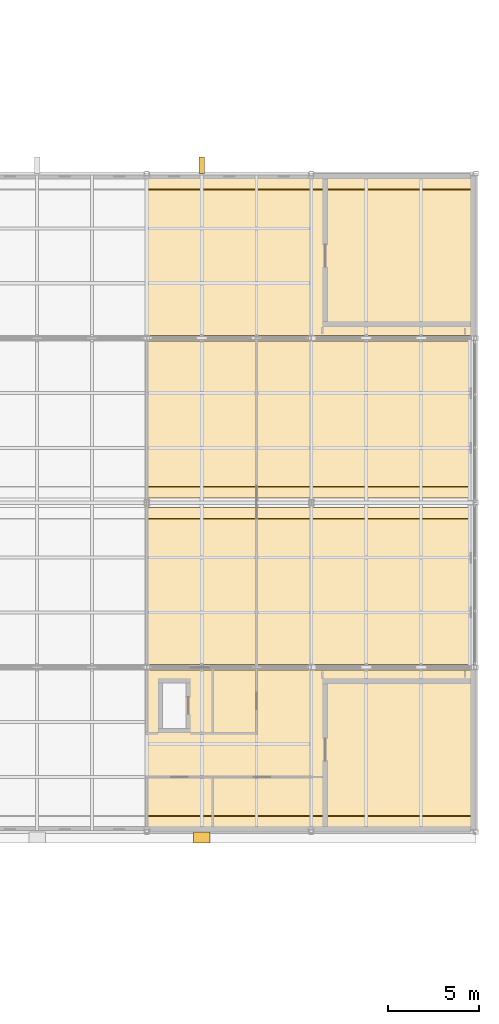
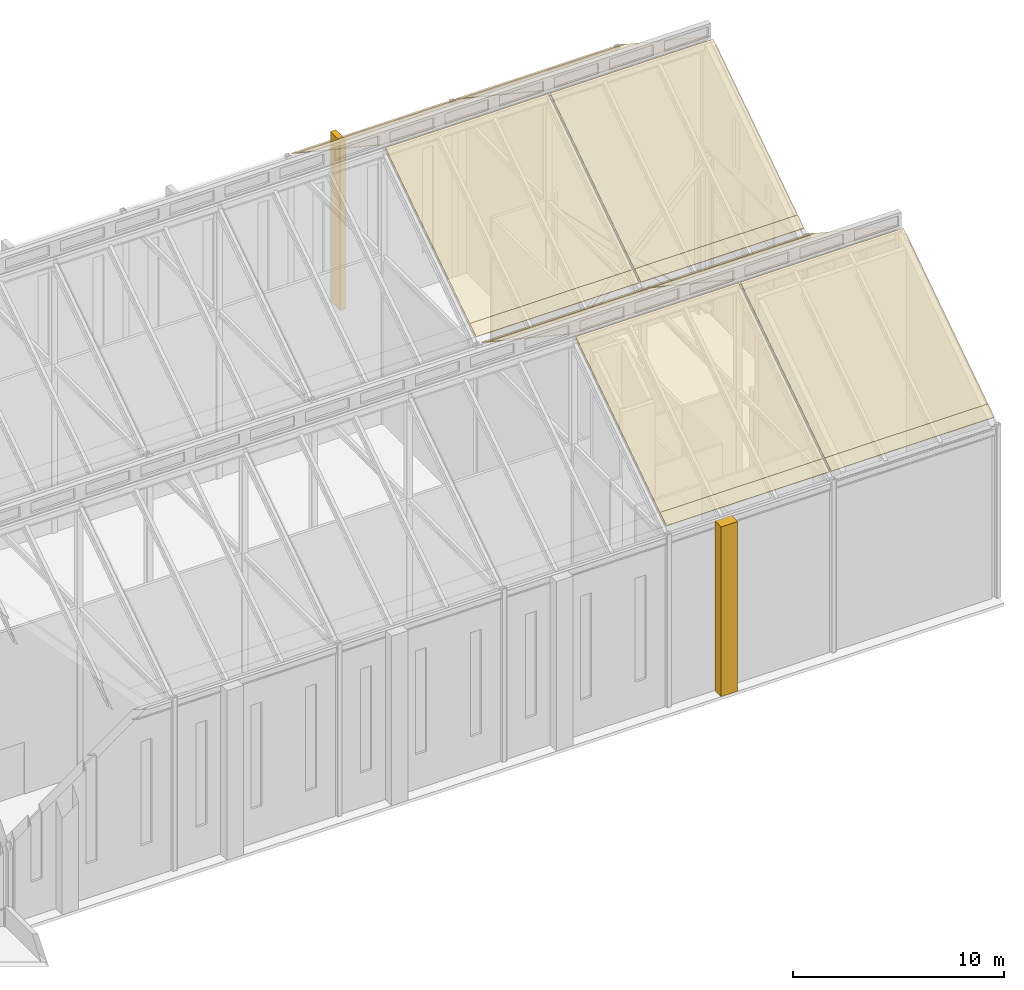
# One storey, part 111 of 111: 16 coverings, 2 shading devices.
"""IFC4 building model written with IfcOpenShell, lengths in metres."""

from ifc_helpers import new_model, si_unit, direction, frame, origin, origin_2d, place, context, subcontext, project, spatial, polyline, rectangle, outline, extrude, material, layer, layer_set, type_object, element, save


model = new_model("IFC4")

# Units and contexts
model_context = context("Model", 3, precision=1e-05, world=origin(), true_north=direction((0.0, 1.0)))
body_context = subcontext(model_context, "Body", "Model", "MODEL_VIEW")
ifc_project = project(units=[si_unit("LENGTHUNIT", "METRE"), si_unit("AREAUNIT", "SQUARE_METRE"), si_unit("VOLUMEUNIT", "CUBIC_METRE"), si_unit("PLANEANGLEUNIT", "RADIAN"), si_unit("MASSUNIT", "GRAM", prefix="KILO")], contexts=[model_context])

# Site, building, storey
site_placement = place(None, origin())
site = spatial("IfcSite", under=ifc_project, at=site_placement, CompositionType="ELEMENT")
building_placement = place(site_placement, origin())
building = spatial("IfcBuilding", under=site, at=building_placement, Name="Shorebreak Coast Museum", CompositionType="ELEMENT")
storey_placement = place(building_placement, frame((0.0, 0.0, 16.0)))
storey = spatial("IfcBuildingStorey", under=building, at=storey_placement, Name="L03", CompositionType="ELEMENT", Elevation=16.0)

# Coverings
ifc_material_1 = material(Name="Lead-coated copper")
ifc_layer_1 = layer(ifc_material_1, 0.0400390625)
ifc_layer_set_1 = layer_set([ifc_layer_1], Name="Lead-coated copper")
covering_type_1 = type_object("IfcCoveringType", Name="Lead-coated copper roofing 40", PredefinedType="ROOFING", material=ifc_layer_set_1)
for number, where, z_axis, x_axis, name in (
    (1, (153.050048828125, 54.85009765625, 10.61474609375), (0.0, -0.554694336455, 0.832054200822), (1.0, 0.0, 0.0), "Roofing FOLD-E-P05"),
    (2, (162.050048828125, 54.85009765625, 10.61474609375), (0.0, -0.554694336455, 0.832054200822), (1.0, 0.0, 0.0), "Roofing FOLD-E-P06"),
    (3, (153.050048828125, 63.14990234375, 15.947998046875), (0.0, 0.554694336455, 0.832054200822), (1.0, 0.0, 0.0), "Roofing FOLD-E-P11"),
    (4, (162.050048828125, 63.14990234375, 15.947998046875), (0.0, 0.554694336455, 0.832054200822), (1.0, 0.0, 0.0), "Roofing FOLD-E-P12"),
    (5, (153.050048828125, 72.85009765625, 10.61474609375), (0.0, -0.554694336455, 0.832054200822), (1.0, 0.0, 0.0), "Roofing FOLD-E-P17"),
    (6, (162.050048828125, 72.85009765625, 10.61474609375), (0.0, -0.554694336455, 0.832054200822), (1.0, 0.0, 0.0), "Roofing FOLD-E-P18"),
    (7, (153.050048828125, 81.14990234375, 15.947998046875), (0.0, 0.554694336455, 0.832054200822), (1.0, 0.0, 0.0), "Roofing FOLD-E-P23"),
    (8, (162.050048828125, 81.14990234375, 15.947998046875), (0.0, 0.554694336455, 0.832054200822), (1.0, 0.0, 0.0), "Roofing FOLD-E-P24"),
):
    element("IfcCovering", number, at=place(storey_placement, frame(where, z_axis=z_axis, x_axis=x_axis)), inside=storey, type_object=covering_type_1, Name=name, PredefinedType="ROOFING", context=body_context, shape_type="SweptSolid", body=[
        extrude(outline(polyline([(0.0, 0.0), (8.89990234375, 0.0), (8.89990234375, 9.614758259858208), (0.0, 9.614758259858208), (0.0, 0.0)])), origin(), (0.0, 0.0, -1.0), 0.0400390625),
    ])

# Shading devices
ifc_material_2 = material(Name="Precast concrete C40/50", Category="concrete")
ifc_layer_2 = layer(ifc_material_2, 0.89990234375)
ifc_layer_set_2 = layer_set([ifc_layer_2], Name="Precast concrete C40/50")
shading_device_type_1 = type_object("IfcShadingDeviceType", Name="Precast rib 900 x 600", PredefinedType="USERDEFINED", material=ifc_layer_set_2)
shading_device_1_placement = place(storey_placement, frame((156.0, 53.699951171875, 0.0), z_axis=(0.0, 0.0, 1.0), x_axis=(1.0, 0.0, 0.0)))
element("IfcShadingDevice", 9, at=shading_device_1_placement, inside=storey, type_object=shading_device_type_1, Name="Precast rib L03 S34", ObjectType="FIN", PredefinedType="USERDEFINED", context=body_context, shape_type="SweptSolid", body=[
    extrude(rectangle(XDim=0.89990234375, YDim=0.60009765625, at=origin_2d()), origin(), (0.0, 0.0, 1.0), 9.800048828125),
])
ifc_material_3 = material(Name="Concrete N50 (50 MPa)", Category="concrete")
ifc_layer_3 = layer(ifc_material_3, 0.300048828125)
ifc_layer_set_3 = layer_set([ifc_layer_3], Name="Concrete N50 (50 MPa)")
shading_device_type_2 = type_object("IfcShadingDeviceType", Name="Sun fin 300 x 900", PredefinedType="USERDEFINED", material=ifc_layer_set_3)
shading_device_2_placement = place(storey_placement, frame((156.0, 90.449951171875, 0.0), z_axis=(0.0, 0.0, 1.0), x_axis=(1.0, 0.0, 0.0)))
element("IfcShadingDevice", 10, at=shading_device_2_placement, inside=storey, type_object=shading_device_type_2, Name="Sun fin L03 N29", ObjectType="FIN", PredefinedType="USERDEFINED", context=body_context, shape_type="SweptSolid", body=[
    extrude(rectangle(XDim=0.300048828125, YDim=0.89990234375, at=origin_2d()), origin(), (0.0, 0.0, 1.0), 9.800048828125),
])

# Coverings
ifc_material_4 = material(Name="Aluminium", Category="aluminium")
ifc_layer_4 = layer(ifc_material_4, 0.06005859375)
ifc_layer_set_4 = layer_set([ifc_layer_4], Name="Aluminium")
covering_type_2 = type_object("IfcCoveringType", Name="Valley gutter lining 60", PredefinedType="MEMBRANE", material=ifc_layer_set_4)
for number, where, z_axis, x_axis, name in (
    (11, (153.050048828125, 54.25, 10.23876953125), (0.0, -0.5547783059, 0.831998215925), (1.0, 0.0, 0.0), "Valley gutter FOLD-E-P05"),
    (12, (162.050048828125, 54.25, 10.23876953125), (0.0, -0.5547783059, 0.831998215925), (1.0, 0.0, 0.0), "Valley gutter FOLD-E-P06"),
    (13, (153.050048828125, 71.14990234375, 10.638916015625), (0.0, 0.5547783059, 0.831998215925), (1.0, 0.0, 0.0), "Valley gutter FOLD-E-P11"),
    (14, (162.050048828125, 71.14990234375, 10.638916015625), (0.0, 0.5547783059, 0.831998215925), (1.0, 0.0, 0.0), "Valley gutter FOLD-E-P12"),
    (15, (153.050048828125, 72.25, 10.23876953125), (0.0, -0.5547783059, 0.831998215925), (1.0, 0.0, 0.0), "Valley gutter FOLD-E-P17"),
    (16, (162.050048828125, 72.25, 10.23876953125), (0.0, -0.5547783059, 0.831998215925), (1.0, 0.0, 0.0), "Valley gutter FOLD-E-P18"),
    (17, (153.050048828125, 89.14990234375, 10.638916015625), (0.0, 0.5547783059, 0.831998215925), (1.0, 0.0, 0.0), "Valley gutter FOLD-E-P23"),
    (18, (162.050048828125, 89.14990234375, 10.638916015625), (0.0, 0.5547783059, 0.831998215925), (1.0, 0.0, 0.0), "Valley gutter FOLD-E-P24"),
):
    element("IfcCovering", number, at=place(storey_placement, frame(where, z_axis=z_axis, x_axis=x_axis)), inside=storey, type_object=covering_type_2, Name=name, PredefinedType="MEMBRANE", context=body_context, shape_type="SweptSolid", body=[
        extrude(outline(polyline([(0.0, 0.0), (8.89990234375, 0.0), (8.89990234375, 0.721272768094301), (0.0, 0.721272768094301), (0.0, 0.0)])), origin(), (0.0, 0.0, -1.0), 0.06005859375),
    ])

save(model, "model.ifc")
